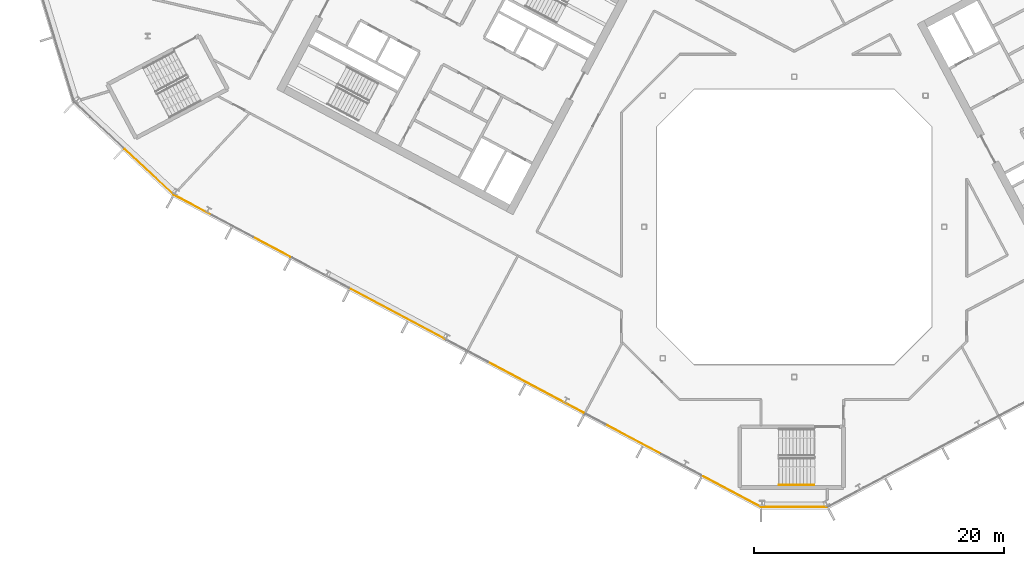
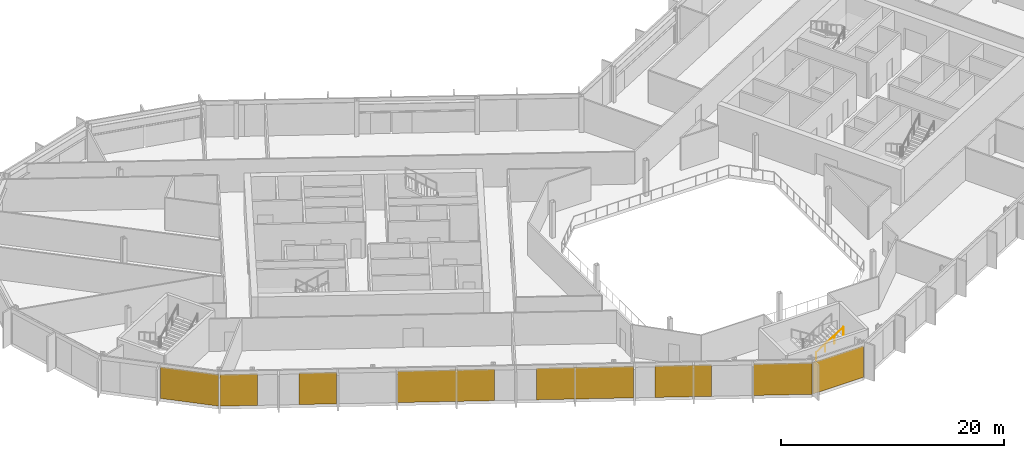
# One storey, part 18 of 26: 8 coverings, 1 railing, 3 elements without a shape of their own.
"""IFC4 building model written with IfcOpenShell, lengths in metres."""

from ifc_helpers import new_model, si_unit, direction, frame, origin, origin_2d, place, context, subcontext, project, spatial, polyline, rectangle, outline, extrude, material, layer, layer_set, type_object, element, aggregate, save


model = new_model("IFC4")

# Units and contexts
model_context = context("Model", 3, precision=1e-05, world=origin(), true_north=direction((0.0, 1.0)))
body_context = subcontext(model_context, "Body", "Model", "MODEL_VIEW")
ifc_project = project(units=[si_unit("LENGTHUNIT", "METRE"), si_unit("AREAUNIT", "SQUARE_METRE"), si_unit("VOLUMEUNIT", "CUBIC_METRE"), si_unit("PLANEANGLEUNIT", "RADIAN"), si_unit("MASSUNIT", "GRAM", prefix="KILO")], contexts=[model_context])

# Site, building, storey
site_placement = place(None, origin())
site = spatial("IfcSite", under=ifc_project, at=site_placement, CompositionType="ELEMENT")
building_placement = place(site_placement, origin())
building = spatial("IfcBuilding", under=site, at=building_placement, Name="Cormorant Relay Tower", CompositionType="ELEMENT")
storey_placement = place(building_placement, frame((0.0, 0.0, 193.5)))
storey = spatial("IfcBuildingStorey", under=building, at=storey_placement, Name="L41", CompositionType="ELEMENT", Elevation=193.5)

# Curtain wall, covering
ifc_material_1 = material(Name="Aluminium 6063-T6 anodised bronze", Category="aluminium")
ifc_layer_1 = layer(ifc_material_1, 0.199951171875)
ifc_layer_set_1 = layer_set([ifc_layer_1], Name="CW1 unitised bronze curtain wall with vertical fins")
curtain_wall_type = type_object("IfcCurtainWallType", Name="CW1 unitised bronze curtain wall with vertical fins", PredefinedType="NOTDEFINED", material=ifc_layer_set_1)
curtain_wall_1_placement = place(storey_placement, origin())
curtain_wall_1 = element("IfcCurtainWall", 1, at=curtain_wall_1_placement, inside=storey, type_object=curtain_wall_type, Name="CW1 curtain wall 1", PredefinedType="NOTDEFINED")
ifc_material_2 = material(Name="Pale bronze anodised aluminium insulated panel", Category="aluminium")
ifc_layer_2 = layer(ifc_material_2, 0.0400390625)
ifc_layer_set_2 = layer_set([ifc_layer_2], Name="CW1 pale bronze insulated panel 40")
covering_type = type_object("IfcCoveringType", Name="CW1 pale bronze insulated panel 40", PredefinedType="CLADDING", material=ifc_layer_set_2)
covering_1_placement = place(storey_placement, frame((0.03759765625, -22.3955078125, 0.0), z_axis=(0.0, 0.0, 1.0), x_axis=(1.0, 0.0, 0.0)))
covering_1 = element("IfcCovering", 2, at=covering_1_placement, type_object=covering_type, Name="CW1 panel S00", PredefinedType="CLADDING", context=body_context, shape_type="SweptSolid", body=[
    extrude(rectangle(XDim=5.22265625, YDim=0.0400390625, at=origin_2d()), origin(), (0.0, 0.0, 1.0), 3.449951171875),
])
aggregate(curtain_wall_1, [covering_1])

curtain_wall_2_placement = place(storey_placement, origin())
curtain_wall_2 = element("IfcCurtainWall", 3, at=curtain_wall_2_placement, inside=storey, type_object=curtain_wall_type, Name="CW1 curtain wall 15", PredefinedType="NOTDEFINED")
covering_2_placement = place(storey_placement, frame((-51.565185546875, 4.3974609375, 0.0), z_axis=(0.0, 0.0, 1.0), x_axis=(0.731353701619, -0.681998360062, 0.0)))
covering_2 = element("IfcCovering", 4, at=covering_2_placement, type_object=covering_type, Name="CW1 panel S02", PredefinedType="CLADDING", context=body_context, shape_type="SweptSolid", body=[
    extrude(rectangle(XDim=5.360107421875, YDim=0.0400390625, at=origin_2d()), origin(), (0.0, 0.0, 1.0), 3.449951171875),
])
aggregate(curtain_wall_2, [covering_2])

# Curtain wall, coverings
curtain_wall_3_placement = place(storey_placement, origin())
curtain_wall_3 = element("IfcCurtainWall", 5, at=curtain_wall_3_placement, inside=storey, type_object=curtain_wall_type, Name="CW1 curtain wall 16", PredefinedType="NOTDEFINED")
covering_3_placement = place(storey_placement, frame((-48.048583984375, 1.7412109375, 0.0), z_axis=(0.0, 0.0, 1.0), x_axis=(0.882947592859, -0.469471562786, 0.0)))
covering_3 = element("IfcCovering", 6, at=covering_3_placement, type_object=covering_type, Name="CW1 panel S00", PredefinedType="CLADDING", context=body_context, shape_type="SweptSolid", body=[
    extrude(rectangle(XDim=3.36669921875, YDim=0.0400390625, at=origin_2d()), origin(), (0.0, 0.0, 1.0), 3.449951171875),
])
covering_4_placement = place(storey_placement, frame((-41.764892578125, -1.599853515625, 0.0), z_axis=(0.0, 0.0, 1.0), x_axis=(0.882947592859, -0.469471562786, 0.0)))
covering_4 = element("IfcCovering", 7, at=covering_4_placement, type_object=covering_type, Name="CW1 panel S03", PredefinedType="CLADDING", context=body_context, shape_type="SweptSolid", body=[
    extrude(rectangle(XDim=3.36669921875, YDim=0.0400390625, at=origin_2d()), origin(), (0.0, 0.0, 1.0), 3.449951171875),
])
covering_5_placement = place(storey_placement, frame((-31.618408203125, -6.994873046875, 0.0), z_axis=(0.0, 0.0, 1.0), x_axis=(0.882947592859, -0.469471562786, 0.0)))
covering_5 = element("IfcCovering", 8, at=covering_5_placement, type_object=covering_type, Name="CW1 panel S05", PredefinedType="CLADDING", context=body_context, shape_type="SweptSolid", body=[
    extrude(rectangle(XDim=8.68310546875, YDim=0.0400390625, at=origin_2d()), origin(), (0.0, 0.0, 1.0), 3.449951171875),
])
covering_6_placement = place(storey_placement, frame((-20.640625, -12.831787109375, 0.0), z_axis=(0.0, 0.0, 1.0), x_axis=(0.882947592859, -0.469471562786, 0.0)))
covering_6 = element("IfcCovering", 9, at=covering_6_placement, type_object=covering_type, Name="CW1 panel S08", PredefinedType="CLADDING", context=body_context, shape_type="SweptSolid", body=[
    extrude(rectangle(XDim=8.68310546875, YDim=0.0400390625, at=origin_2d()), origin(), (0.0, 0.0, 1.0), 3.449951171875),
])
covering_7_placement = place(storey_placement, frame((-12.84130859375, -16.978759765625, 0.0), z_axis=(0.0, 0.0, 1.0), x_axis=(0.882947592859, -0.469471562786, 0.0)))
covering_7 = element("IfcCovering", 10, at=covering_7_placement, type_object=covering_type, Name="CW1 panel S10", PredefinedType="CLADDING", context=body_context, shape_type="SweptSolid", body=[
    extrude(rectangle(XDim=5.083251953125, YDim=0.0400390625, at=origin_2d()), origin(), (0.0, 0.0, 1.0), 3.449951171875),
])
covering_8_placement = place(storey_placement, frame((-4.972412109375, -21.162841796875, 0.0), z_axis=(0.0, 0.0, 1.0), x_axis=(0.882947592859, -0.469471562786, 0.0)))
covering_8 = element("IfcCovering", 11, at=covering_8_placement, type_object=covering_type, Name="CW1 panel S12", PredefinedType="CLADDING", context=body_context, shape_type="SweptSolid", body=[
    extrude(rectangle(XDim=5.24169921875, YDim=0.0400390625, at=origin_2d()), origin(), (0.0, 0.0, 1.0), 3.449951171875),
])
aggregate(curtain_wall_3, [covering_3, covering_4, covering_5, covering_6, covering_7, covering_8])

# Railing
ifc_material_3 = material(Name="Steel ASTM A572 Grade 50 (Fy 345 MPa)", Category="steel")
railing_type = type_object("IfcRailingType", Name="Stair handrail 900", PredefinedType="HANDRAIL", material=ifc_material_3)
railing_placement = place(storey_placement, frame((-1.199951171875, -20.625, 2.127197265625)))
element("IfcRailing", 12, at=railing_placement, inside=storey, type_object=railing_type, Name="L41 RK1 stair handrail 2", PredefinedType="HANDRAIL", context=body_context, shape_type="SweptSolid", body=[
    extrude(outline(polyline([(0.022216796875, 0.00927734375), (0.00927734375, 0.022216796875), (-0.00927734375, 0.022216796875), (-0.022216796875, 0.00927734375), (-0.022216796875, -0.00927734375), (-0.00927734375, -0.022216796875), (0.00927734375, -0.022216796875), (0.022216796875, -0.00927734375), (0.022216796875, 0.00927734375)])), frame((0.0, 0.0, 0.8759765625), z_axis=(0.844908973607, 0.0, 0.534910110503), x_axis=(0.0, 1.0, 0.0)), (0.0, 0.0, 1.0), 3.31396484375),
    extrude(outline(polyline([(0.019287109375, 0.008056640625), (0.008056640625, 0.019287109375), (-0.008056640625, 0.019287109375), (-0.019287109375, 0.008056640625), (-0.019287109375, -0.008056640625), (-0.008056640625, -0.019287109375), (0.008056640625, -0.019287109375), (0.019287109375, -0.008056640625), (0.019287109375, 0.008056640625)])), origin(), (0.0, 0.0, 1.0), 0.851806640625),
    extrude(outline(polyline([(0.019287109375, 0.008056640625), (0.008056640625, 0.019287109375), (-0.008056640625, 0.019287109375), (-0.019287109375, 0.008056640625), (-0.019287109375, -0.008056640625), (-0.008056640625, -0.019287109375), (0.008056640625, -0.019287109375), (0.019287109375, -0.008056640625), (0.019287109375, 0.008056640625)])), frame((0.933349609375, 0.0, 0.5908203125)), (0.0, 0.0, 1.0), 0.851806640625),
    extrude(outline(polyline([(0.019287109375, 0.008056640625), (0.008056640625, 0.019287109375), (-0.008056640625, 0.019287109375), (-0.019287109375, 0.008056640625), (-0.019287109375, -0.008056640625), (-0.008056640625, -0.019287109375), (0.008056640625, -0.019287109375), (0.019287109375, -0.008056640625), (0.019287109375, 0.008056640625)])), frame((1.86669921875, 0.0, 1.181884765625)), (0.0, 0.0, 1.0), 0.851806640625),
    extrude(outline(polyline([(0.019287109375, 0.008056640625), (0.008056640625, 0.019287109375), (-0.008056640625, 0.019287109375), (-0.019287109375, 0.008056640625), (-0.019287109375, -0.008056640625), (-0.008056640625, -0.019287109375), (0.008056640625, -0.019287109375), (0.019287109375, -0.008056640625), (0.019287109375, 0.008056640625)])), frame((2.800048828125, 0.0, 1.772705078125)), (0.0, 0.0, 1.0), 0.851806640625),
])

save(model, "model.ifc")
